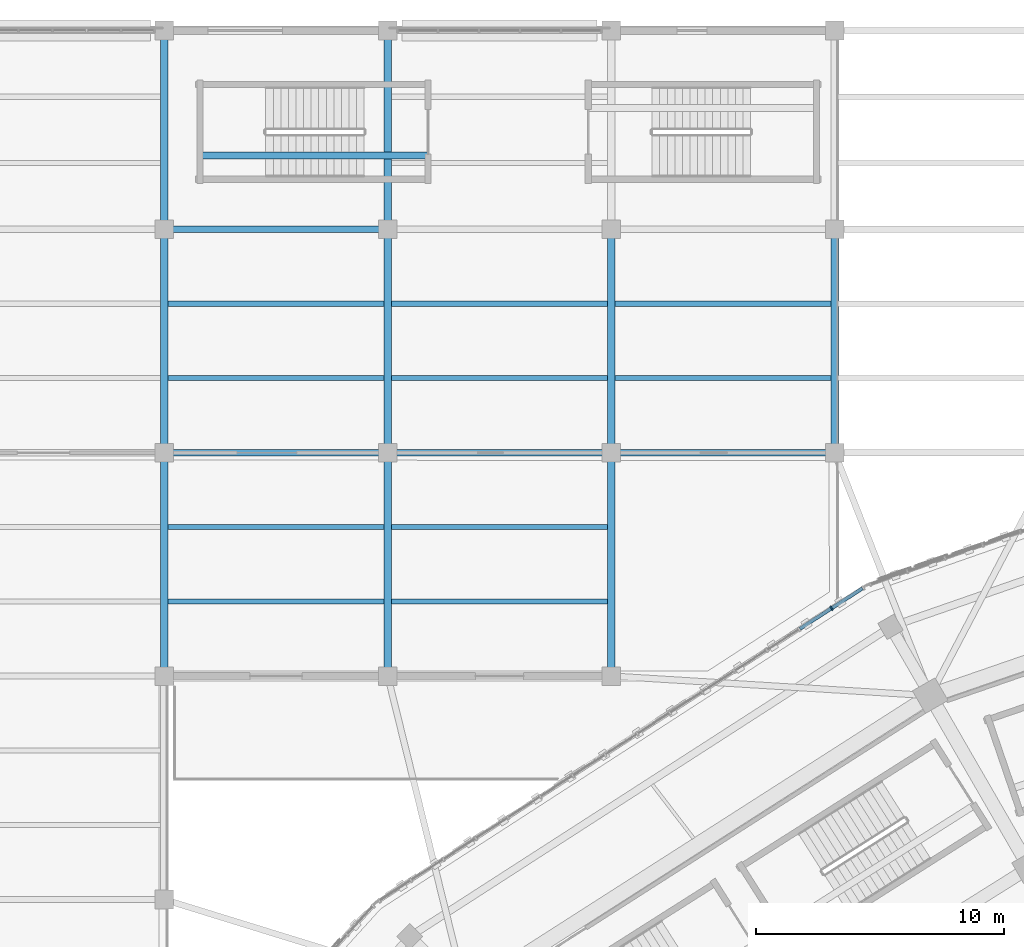
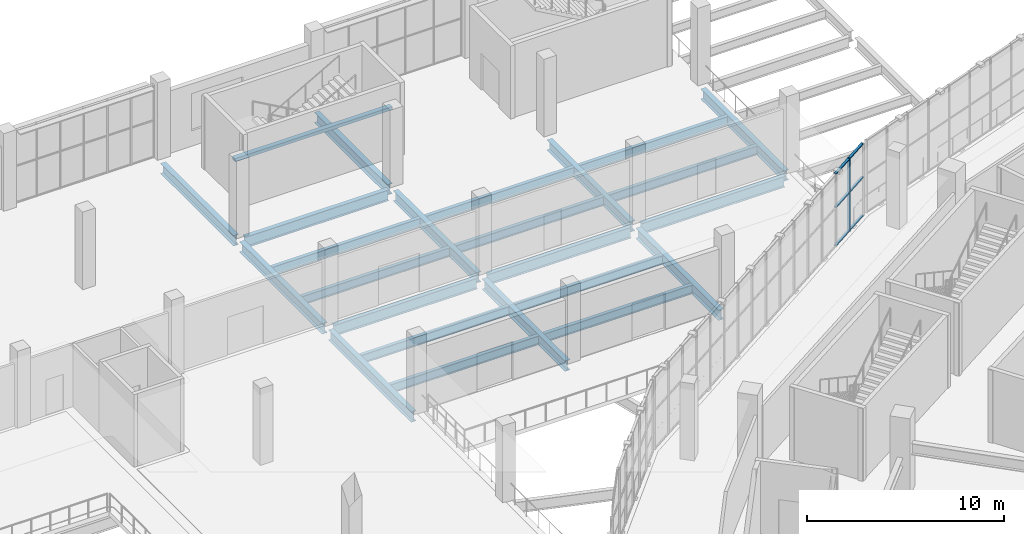
# One storey, part 55 of 179: 24 beams, 7 members, 1 element without a shape of its own.
"""IFC4 building model written with IfcOpenShell, lengths in metres."""

from ifc_helpers import new_model, si_unit, direction, frame, origin, origin_2d, place, context, subcontext, project, spatial, rectangle, i_section, extrude, material, material_profile, profile_set, type_object, element, aggregate, save


model = new_model("IFC4")

# Units and contexts
model_context = context("Model", 3, precision=1e-05, world=origin(), true_north=direction((0.0, 1.0)))
body_context = subcontext(model_context, "Body", "Model", "MODEL_VIEW")
ifc_project = project(units=[si_unit("LENGTHUNIT", "METRE"), si_unit("AREAUNIT", "SQUARE_METRE"), si_unit("VOLUMEUNIT", "CUBIC_METRE"), si_unit("PLANEANGLEUNIT", "RADIAN"), si_unit("MASSUNIT", "GRAM", prefix="KILO")], contexts=[model_context])

# Site, building, storey
site_placement = place(None, origin())
site = spatial("IfcSite", under=ifc_project, at=site_placement, CompositionType="ELEMENT")
building_placement = place(site_placement, origin())
building = spatial("IfcBuilding", under=site, at=building_placement, Name="Zevraka Park Crest Stadium", CompositionType="ELEMENT")
storey_placement = place(building_placement, frame((0.0, 0.0, 10.199951171875)))
storey = spatial("IfcBuildingStorey", under=building, at=storey_placement, Name="L02", CompositionType="ELEMENT", Elevation=10.199951171875)

# Beams
ifc_material_1 = material(Name="Steel S355", Category="steel")
ifc_material_profile_1 = material_profile(ifc_material_1, i_section(OverallWidth=0.253662109375, OverallDepth=0.68359375, WebThickness=0.012451171875, FlangeThickness=0.01904296875, at=origin_2d()), Name="UKB 686x254x140")
ifc_profile_set_1 = profile_set([ifc_material_profile_1], Name="Steel S355")
beam_type_1 = type_object("IfcBeamType", Name="BG05", PredefinedType="BEAM", material=ifc_profile_set_1)
for number, where, z_axis, x_axis, name in (
    (1, (36.300048828125, 167.0, -0.629638671875), (1.0, 0.0, 0.0), (0.0, 1.0, 0.0), "Wing Girder BG05 L02-56/U"),
    (2, (36.300048828125, 176.0, -0.629638671875), (1.0, 0.0, 0.0), (0.0, 1.0, 0.0), "Wing Girder BG05 L02-56/V"),
    (3, (45.300048828125, 167.0, -0.629638671875), (1.0, 0.0, 0.0), (0.0, 1.0, 0.0), "Wing Girder BG05 L02-67/U"),
    (4, (54.300048828125, 167.0, -0.629638671875), (1.0, 0.0, 0.0), (0.0, 1.0, 0.0), "Wing Girder BG05 L02-78/U"),
):
    element("IfcBeam", number, at=place(storey_placement, frame(where, z_axis=z_axis, x_axis=x_axis)), inside=storey, type_object=beam_type_1, Name=name, PredefinedType="BEAM", context=body_context, shape_type="SweptSolid", body=[
        extrude(i_section(OverallWidth=0.253662109375, OverallDepth=0.68359375, WebThickness=0.012451171875, FlangeThickness=0.01904296875, at=origin_2d()), origin(), (0.0, 0.0, 1.0), 8.39990234375),
    ])
ifc_material_2 = material(Name="Steel S355", Category="steel")
ifc_material_profile_2 = material_profile(ifc_material_2, i_section(OverallWidth=0.300048828125, OverallDepth=0.64990234375, WebThickness=0.01611328125, FlangeThickness=0.031005859375, at=origin_2d()), Name="HEB 650")
ifc_profile_set_2 = profile_set([ifc_material_profile_2], Name="Steel S355")
beam_type_2 = type_object("IfcBeamType", Name="BG07", PredefinedType="BEAM", material=ifc_profile_set_2)
for number, where, z_axis, x_axis, name in (
    (5, (36.0, 158.300048828125, -0.613037109375), (0.0, 1.0, 0.0), (-1.0, 0.0, 0.0), "Wing Girder BG07 L02-5/TU"),
    (6, (36.0, 167.300048828125, -0.613037109375), (0.0, 1.0, 0.0), (-1.0, 0.0, 0.0), "Wing Girder BG07 L02-5/UV"),
):
    element("IfcBeam", number, at=place(storey_placement, frame(where, z_axis=z_axis, x_axis=x_axis)), inside=storey, type_object=beam_type_2, Name=name, PredefinedType="BEAM", context=body_context, shape_type="SweptSolid", body=[
        extrude(i_section(OverallWidth=0.300048828125, OverallDepth=0.64990234375, WebThickness=0.01611328125, FlangeThickness=0.031005859375, at=origin_2d()), origin(), (0.0, 0.0, 1.0), 8.39990234375),
    ])
beam_1_placement = place(storey_placement, frame((36.0, 176.300048828125, -0.613037109375), z_axis=(0.0, 1.0, 0.0), x_axis=(-1.0, 0.0, 0.0)))
element("IfcBeam", 7, at=beam_1_placement, inside=storey, type_object=beam_type_2, Name="Wing Girder BG07 L02-5/VW", PredefinedType="BEAM", context=body_context, shape_type="SweptSolid", body=[
    extrude(i_section(OverallWidth=0.300048828125, OverallDepth=0.64990234375, WebThickness=0.01611328125, FlangeThickness=0.031005859375, at=origin_2d()), origin(), (0.0, 0.0, 1.0), 7.39990234375),
])
for number, where, z_axis, x_axis, name in (
    (8, (45.0, 158.300048828125, -0.613037109375), (0.0, 1.0, 0.0), (-1.0, 0.0, 0.0), "Wing Girder BG07 L02-6/TU"),
    (9, (45.0, 167.300048828125, -0.613037109375), (0.0, 1.0, 0.0), (-1.0, 0.0, 0.0), "Wing Girder BG07 L02-6/UV"),
):
    element("IfcBeam", number, at=place(storey_placement, frame(where, z_axis=z_axis, x_axis=x_axis)), inside=storey, type_object=beam_type_2, Name=name, PredefinedType="BEAM", context=body_context, shape_type="SweptSolid", body=[
        extrude(i_section(OverallWidth=0.300048828125, OverallDepth=0.64990234375, WebThickness=0.01611328125, FlangeThickness=0.031005859375, at=origin_2d()), origin(), (0.0, 0.0, 1.0), 8.39990234375),
    ])
beam_2_placement = place(storey_placement, frame((45.0, 176.300048828125, -0.613037109375), z_axis=(0.0, 1.0, 0.0), x_axis=(-1.0, 0.0, 0.0)))
element("IfcBeam", 10, at=beam_2_placement, inside=storey, type_object=beam_type_2, Name="Wing Girder BG07 L02-6/VW", PredefinedType="BEAM", context=body_context, shape_type="SweptSolid", body=[
    extrude(i_section(OverallWidth=0.300048828125, OverallDepth=0.64990234375, WebThickness=0.01611328125, FlangeThickness=0.031005859375, at=origin_2d()), origin(), (0.0, 0.0, 1.0), 7.39990234375),
])
for number, where, z_axis, x_axis, name in (
    (11, (54.0, 158.300048828125, -0.613037109375), (0.0, 1.0, 0.0), (-1.0, 0.0, 0.0), "Wing Girder BG07 L02-7/TU"),
    (12, (54.0, 167.300048828125, -0.613037109375), (0.0, 1.0, 0.0), (-1.0, 0.0, 0.0), "Wing Girder BG07 L02-7/UV"),
    (13, (63.0, 167.300048828125, -0.613037109375), (0.0, 1.0, 0.0), (-1.0, 0.0, 0.0), "Wing Girder BG07 L02-8/UV"),
):
    element("IfcBeam", number, at=place(storey_placement, frame(where, z_axis=z_axis, x_axis=x_axis)), inside=storey, type_object=beam_type_2, Name=name, PredefinedType="BEAM", context=body_context, shape_type="SweptSolid", body=[
        extrude(i_section(OverallWidth=0.300048828125, OverallDepth=0.64990234375, WebThickness=0.01611328125, FlangeThickness=0.031005859375, at=origin_2d()), origin(), (0.0, 0.0, 1.0), 8.39990234375),
    ])

# Curtain wall, members
ifc_material_3 = material(Name="Anodised architectural aluminium and laminated safety glass", Category="aluminium")
curtain_wall_type = type_object("IfcCurtainWallType", Name="CW08", PredefinedType="NOTDEFINED", material=ifc_material_3)
curtain_wall_placement = place(storey_placement, origin())
curtain_wall = element("IfcCurtainWall", 14, at=curtain_wall_placement, inside=storey, type_object=curtain_wall_type, Name="Unitised Ring Curtain Wall CW08 L02-08", PredefinedType="NOTDEFINED")
ifc_material_4 = material(Name="Anodised architectural aluminium", Category="aluminium")
ifc_material_profile_3 = material_profile(ifc_material_4, rectangle(XDim=0.179931640625, YDim=0.06494140625, at=origin_2d()), Name="ALU MULLION 180x65")
ifc_profile_set_3 = profile_set([ifc_material_profile_3], Name="Anodised architectural aluminium")
member_type_1 = type_object("IfcMemberType", Name="CM02", PredefinedType="MULLION", material=ifc_profile_set_3)
member_1_placement = place(storey_placement, frame((62.873046875, 160.729248046875, 0.0), z_axis=(0.0, 0.0, 1.0), x_axis=(0.543096287444, -0.839670424967, 0.0)))
member_1 = element("IfcMember", 15, at=member_1_placement, type_object=member_type_1, Name="CW08 mullion 2", PredefinedType="MULLION", context=body_context, shape_type="SweptSolid", body=[
    extrude(rectangle(XDim=0.179931640625, YDim=0.06494140625, at=origin_2d()), origin(), (0.0, 0.0, 1.0), 4.5),
])
ifc_material_5 = material(Name="Anodised architectural aluminium", Category="aluminium")
ifc_material_profile_4 = material_profile(ifc_material_5, rectangle(XDim=0.139892578125, YDim=0.06494140625, at=origin_2d()), Name="ALU TRANSOM 140x65")
ifc_profile_set_4 = profile_set([ifc_material_profile_4], Name="Anodised architectural aluminium")
member_type_2 = type_object("IfcMemberType", Name="CT02", PredefinedType="USERDEFINED", material=ifc_profile_set_4)
member_2_placement = place(storey_placement, frame((64.121337890625, 161.53662109375, 0.032470703125), z_axis=(-0.839642221706, -0.543139889466, 0.0), x_axis=(0.543139889466, -0.839642221706, 0.0)))
member_2 = element("IfcMember", 16, at=member_2_placement, type_object=member_type_2, Name="CW08 transom 1.1", ObjectType="TRANSOM", PredefinedType="USERDEFINED", context=body_context, shape_type="SweptSolid", body=[
    extrude(rectangle(XDim=0.139892578125, YDim=0.06494140625, at=origin_2d()), origin(), (0.0, 0.0, 1.0), 1.4541015625),
])
member_3_placement = place(storey_placement, frame((64.121337890625, 161.53662109375, 2.400146484375), z_axis=(-0.839642221706, -0.543139889466, 0.0), x_axis=(0.543139889466, -0.839642221706, 0.0)))
member_3 = element("IfcMember", 17, at=member_3_placement, type_object=member_type_2, Name="CW08 transom 1.2", ObjectType="TRANSOM", PredefinedType="USERDEFINED", context=body_context, shape_type="SweptSolid", body=[
    extrude(rectangle(XDim=0.139892578125, YDim=0.06494140625, at=origin_2d()), origin(), (0.0, 0.0, 1.0), 1.4541015625),
])
member_4_placement = place(storey_placement, frame((64.121337890625, 161.53662109375, 4.467529296875), z_axis=(-0.839642221706, -0.543139889466, 0.0), x_axis=(0.543139889466, -0.839642221706, 0.0)))
member_4 = element("IfcMember", 18, at=member_4_placement, type_object=member_type_2, Name="CW08 transom 1.3", ObjectType="TRANSOM", PredefinedType="USERDEFINED", context=body_context, shape_type="SweptSolid", body=[
    extrude(rectangle(XDim=0.139892578125, YDim=0.06494140625, at=origin_2d()), origin(), (0.0, 0.0, 1.0), 1.4541015625),
])
member_5_placement = place(storey_placement, frame((62.845703125, 160.711669921875, 0.032470703125), z_axis=(-0.839675885301, -0.543087845236, 0.0), x_axis=(0.543087845236, -0.839675885301, 0.0)))
member_5 = element("IfcMember", 19, at=member_5_placement, type_object=member_type_2, Name="CW08 transom 2.1", ObjectType="TRANSOM", PredefinedType="USERDEFINED", context=body_context, shape_type="SweptSolid", body=[
    extrude(rectangle(XDim=0.139892578125, YDim=0.06494140625, at=origin_2d()), origin(), (0.0, 0.0, 1.0), 1.486572265625),
])
member_6_placement = place(storey_placement, frame((62.845703125, 160.711669921875, 2.400146484375), z_axis=(-0.839675885301, -0.543087845236, 0.0), x_axis=(0.543087845236, -0.839675885301, 0.0)))
member_6 = element("IfcMember", 20, at=member_6_placement, type_object=member_type_2, Name="CW08 transom 2.2", ObjectType="TRANSOM", PredefinedType="USERDEFINED", context=body_context, shape_type="SweptSolid", body=[
    extrude(rectangle(XDim=0.139892578125, YDim=0.06494140625, at=origin_2d()), origin(), (0.0, 0.0, 1.0), 1.486572265625),
])
member_7_placement = place(storey_placement, frame((62.845703125, 160.711669921875, 4.467529296875), z_axis=(-0.839675885301, -0.543087845236, 0.0), x_axis=(0.543087845236, -0.839675885301, 0.0)))
member_7 = element("IfcMember", 21, at=member_7_placement, type_object=member_type_2, Name="CW08 transom 2.3", ObjectType="TRANSOM", PredefinedType="USERDEFINED", context=body_context, shape_type="SweptSolid", body=[
    extrude(rectangle(XDim=0.139892578125, YDim=0.06494140625, at=origin_2d()), origin(), (0.0, 0.0, 1.0), 1.486572265625),
])
aggregate(curtain_wall, [member_1, member_2, member_3, member_4, member_5, member_6, member_7])

# Beams
ifc_material_6 = material(Name="Steel S355", Category="steel")
ifc_material_profile_5 = material_profile(ifc_material_6, i_section(OverallWidth=0.2099609375, OverallDepth=0.550048828125, WebThickness=0.010986328125, FlangeThickness=0.01708984375, at=origin_2d()), Name="IPE 550")
ifc_profile_set_5 = profile_set([ifc_material_profile_5], Name="Steel S355")
beam_type_3 = type_object("IfcBeamType", Name="SJ04", PredefinedType="JOIST", material=ifc_profile_set_5)
for number, where, z_axis, x_axis, name in (
    (22, (36.14501953125, 161.0, -0.56494140625), (1.0, 0.0, 0.0), (0.0, 1.0, 0.0), "Wing Joist SJ04 L02-5/T-1"),
    (23, (36.14501953125, 164.0, -0.56494140625), (1.0, 0.0, 0.0), (0.0, 1.0, 0.0), "Wing Joist SJ04 L02-5/T-2"),
    (24, (36.14501953125, 170.0, -0.56494140625), (1.0, 0.0, 0.0), (0.0, 1.0, 0.0), "Wing Joist SJ04 L02-5/U-1"),
    (25, (36.14501953125, 173.0, -0.56494140625), (1.0, 0.0, 0.0), (0.0, 1.0, 0.0), "Wing Joist SJ04 L02-5/U-2"),
    (26, (45.14501953125, 161.0, -0.56494140625), (1.0, 0.0, 0.0), (0.0, 1.0, 0.0), "Wing Joist SJ04 L02-6/T-1"),
    (27, (45.14501953125, 164.0, -0.56494140625), (1.0, 0.0, 0.0), (0.0, 1.0, 0.0), "Wing Joist SJ04 L02-6/T-2"),
    (28, (45.14501953125, 170.0, -0.56494140625), (1.0, 0.0, 0.0), (0.0, 1.0, 0.0), "Wing Joist SJ04 L02-6/U-1"),
    (29, (45.14501953125, 173.0, -0.56494140625), (1.0, 0.0, 0.0), (0.0, 1.0, 0.0), "Wing Joist SJ04 L02-6/U-2"),
    (30, (54.14501953125, 170.0, -0.56494140625), (1.0, 0.0, 0.0), (0.0, 1.0, 0.0), "Wing Joist SJ04 L02-7/U-1"),
    (31, (54.14501953125, 173.0, -0.56494140625), (1.0, 0.0, 0.0), (0.0, 1.0, 0.0), "Wing Joist SJ04 L02-7/U-2"),
):
    element("IfcBeam", number, at=place(storey_placement, frame(where, z_axis=z_axis, x_axis=x_axis)), inside=storey, type_object=beam_type_3, Name=name, PredefinedType="JOIST", context=body_context, shape_type="SweptSolid", body=[
        extrude(i_section(OverallWidth=0.2099609375, OverallDepth=0.550048828125, WebThickness=0.010986328125, FlangeThickness=0.01708984375, at=origin_2d()), origin(), (0.0, 0.0, 1.0), 8.7099609375),
    ])
ifc_material_7 = material(Name="Concrete C40/50", Category="concrete")
ifc_material_profile_6 = material_profile(ifc_material_7, rectangle(XDim=0.280029296875, YDim=0.199951171875, at=origin_2d()), Name="RC 200x280")
ifc_profile_set_6 = profile_set([ifc_material_profile_6], Name="Concrete C40/50")
beam_type_4 = type_object("IfcBeamType", Name="SJ13", PredefinedType="JOIST", material=ifc_profile_set_6)
beam_3_placement = place(storey_placement, frame((46.60009765625, 178.965087890625, 2.300048828125), z_axis=(-1.0, 0.0, 0.0), x_axis=(0.0, -1.0, 0.0)))
element("IfcBeam", 32, at=beam_3_placement, inside=storey, type_object=beam_type_4, Name="Stair Upper-Flight Longitudinal Stringer SJ13 ST49-L02", PredefinedType="JOIST", context=body_context, shape_type="SweptSolid", body=[
    extrude(rectangle(XDim=0.280029296875, YDim=0.199951171875, at=origin_2d()), origin(), (0.0, 0.0, 1.0), 9.2001953125),
])

save(model, "model.ifc")
